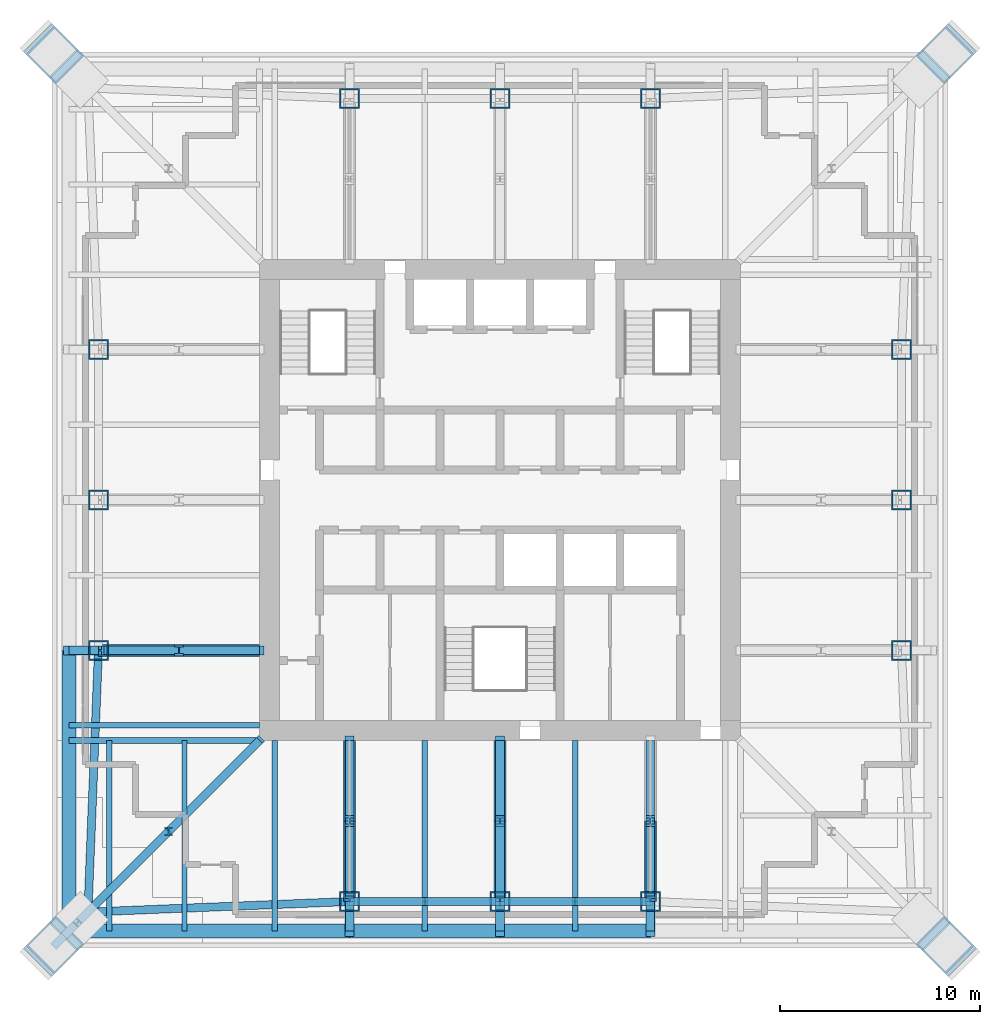
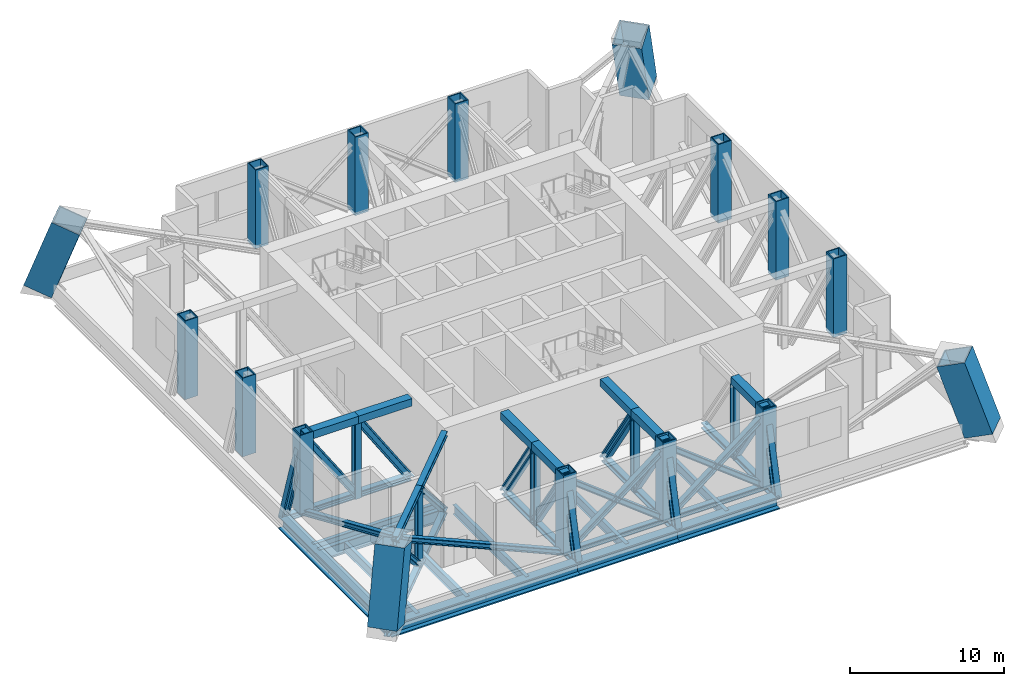
# One storey, part 1 of 9: 53 members, 16 columns, 11 beams.
"""IFC4 building model written with IfcOpenShell, lengths in metres."""

import ifcopenshell
import ifcopenshell.guid

model = None  # the IFC model being written
_history = None  # IfcOwnerHistory: only IFC2X3 demands one
_inside = {}  # id of a spatial element -> (the spatial element, [elements in it])
_under = {}  # id of a project, library or spatial element -> (it, [spatial elements below it])
_declared = {}  # id of a project -> (the project, [libraries it declares])
_typed = {}  # id of a type object -> (the type object, [elements of that type])
_made_of = {}  # id of a material, layer set ... -> (it, [elements and type objects made of it])


def new_model(schema):
    """Start an empty IFC model of exactly this schema.

    Asked for "IFC4X3", IfcOpenShell would pick the latest addendum, in which some entities
    have other attributes; the version numbers below select the first issue.
    IFC2X3 requires an IfcOwnerHistory on every rooted entity: one is made here for all.
    """
    global model, _history
    if schema == "IFC4X3":
        model = ifcopenshell.file(schema_version=(4, 3, 0, 0))
    else:
        model = ifcopenshell.file(schema=schema)
    _inside.clear()
    _under.clear()
    _declared.clear()
    _typed.clear()
    _made_of.clear()
    _history = None
    if model.schema == "IFC2X3":
        org = make("IfcOrganization", Name="unknown")
        user = make(
            "IfcPersonAndOrganization",
            ThePerson=make("IfcPerson", FamilyName="unknown"),
            TheOrganization=org,
        )
        app = make(
            "IfcApplication",
            ApplicationDeveloper=org,
            Version="unknown",
            ApplicationFullName="unknown",
            ApplicationIdentifier="unknown",
        )
        _history = make(
            "IfcOwnerHistory",
            OwningUser=user,
            OwningApplication=app,
            ChangeAction="ADDED",
            CreationDate=0,
        )
    return model


def make(cls, **values):
    """One entity of the class cls with the attributes given. An attribute that is None is left unset."""
    return model.create_entity(
        cls, **{name: value for name, value in values.items() if value is not None}
    )


def rooted(cls, **values):
    """An entity with a GlobalId (a new one), such as an element, a storey or a relation."""
    return make(cls, GlobalId=ifcopenshell.guid.new(), OwnerHistory=_history, **values)


def si_unit(unit_type, name, prefix=None):
    """IfcSIUnit, for example si_unit("LENGTHUNIT", "METRE", prefix="MILLI")."""
    return make("IfcSIUnit", UnitType=unit_type, Prefix=prefix, Name=name)


def assignment(units):
    """IfcUnitAssignment: the units of a project."""
    return None if units is None else make("IfcUnitAssignment", Units=units)


def point(xyz):
    """IfcCartesianPoint."""
    return None if xyz is None else make("IfcCartesianPoint", Coordinates=xyz)


def direction(xyz):
    """IfcDirection."""
    return None if xyz is None else make("IfcDirection", DirectionRatios=xyz)


def frame(location, z_axis=None, x_axis=None):
    """IfcAxis2Placement3D, a coordinate frame: its origin and axes. An axis left out is left unset."""
    return make(
        "IfcAxis2Placement3D",
        Location=point(location),
        Axis=direction(z_axis),
        RefDirection=direction(x_axis),
    )


def frame_2d(location, x_axis=None):
    """IfcAxis2Placement2D, a coordinate frame in the plane: its origin and x axis."""
    return make(
        "IfcAxis2Placement2D", Location=point(location), RefDirection=direction(x_axis)
    )


def origin():
    """The frame at (0, 0, 0) with its axes left unset."""
    return frame((0.0, 0.0, 0.0))


def origin_2d():
    """The frame at (0, 0) in the plane with its x axis left unset."""
    return frame_2d((0.0, 0.0))


def place(relative_to, where):
    """IfcLocalPlacement: puts the frame where relative to a parent placement (None: the world)."""
    return make(
        "IfcLocalPlacement", PlacementRelTo=relative_to, RelativePlacement=where
    )


def context(
    kind, dimensions, precision=None, world=None, true_north=None, identifier=None
):
    """IfcGeometricRepresentationContext, for example the 3D "Model" context."""
    return make(
        "IfcGeometricRepresentationContext",
        ContextIdentifier=identifier,
        ContextType=kind,
        CoordinateSpaceDimension=dimensions,
        Precision=precision,
        WorldCoordinateSystem=world,
        TrueNorth=true_north,
    )


def subcontext(parent, identifier, kind, view, scale=None):
    """IfcGeometricRepresentationSubContext, for example "Body" below "Model"."""
    return make(
        "IfcGeometricRepresentationSubContext",
        ContextIdentifier=identifier,
        ContextType=kind,
        ParentContext=parent,
        TargetScale=scale,
        TargetView=view,
    )


def project(units=None, contexts=None):
    """IfcProject with its units and contexts."""
    return rooted(
        "IfcProject",
        Name="project",
        RepresentationContexts=contexts,
        UnitsInContext=assignment(units),
    )


def spatial(cls, under=None, at=None, **own):
    """A site, building, storey or space (cls), placed at a placement, below another one or the project."""
    s = rooted(cls, ObjectPlacement=at, **own)
    if under is not None:
        _under.setdefault(under.id(), (under, []))[1].append(s)
    return s


def profile(cls, at=None, kind="AREA", **sizes):
    """A parametric profile (cls). Its sizes go by their IFC names, for example OverallWidth=200.0."""
    return make(cls, ProfileType=kind, Position=at, **sizes)


def hollow_rectangle(**sizes):
    """IfcRectangleHollowProfileDef."""
    return profile("IfcRectangleHollowProfileDef", **sizes)


def i_section(**sizes):
    """IfcIShapeProfileDef."""
    return profile("IfcIShapeProfileDef", **sizes)


def extrude(swept, where, along, depth):
    """IfcExtrudedAreaSolid: the profile swept, set in the frame where, extruded along a direction by depth."""
    return make(
        "IfcExtrudedAreaSolid",
        SweptArea=swept,
        Position=where,
        ExtrudedDirection=direction(along),
        Depth=depth,
    )


def clip(a, b, op="DIFFERENCE"):
    """IfcBooleanClippingResult: the solid a cut by the half space b."""
    return make(
        "IfcBooleanClippingResult", Operator=op, FirstOperand=a, SecondOperand=b
    )


def halfspace(plane, agree):
    """IfcHalfSpaceSolid: all space on one side of the plane z = 0 of the frame plane."""
    return make(
        "IfcHalfSpaceSolid",
        BaseSurface=make("IfcPlane", Position=plane),
        AgreementFlag=agree,
    )


def shape(context_of_items, identifier, shape_type, items):
    """IfcShapeRepresentation: the items that make up one representation, for example the "Body"."""
    return make(
        "IfcShapeRepresentation",
        ContextOfItems=context_of_items,
        RepresentationIdentifier=identifier,
        RepresentationType=shape_type,
        Items=items,
    )


def material(Name=None, Category=None):
    """IfcMaterial."""
    return make("IfcMaterial", Name=Name, Category=Category)


def material_profile(
    of_material, cross_section, Name=None, Category=None, Priority=None
):
    """IfcMaterialProfile: a cross section and its material."""
    return make(
        "IfcMaterialProfile",
        Name=Name,
        Material=of_material,
        Profile=cross_section,
        Priority=Priority,
        Category=Category,
    )


def profile_set(profiles, Name=None, composite=None):
    """IfcMaterialProfileSet."""
    return make(
        "IfcMaterialProfileSet",
        Name=Name,
        MaterialProfiles=profiles,
        CompositeProfile=composite,
    )


def made_of(thing, what):
    """Note that an element or type object is made of a material, layer set ...; save() writes the relation."""
    if what is not None:
        _made_of.setdefault(what.id(), (what, []))[1].append(thing)
    return thing


def type_object(cls, material=None, **own):
    """A type object (cls), such as IfcWallType, which elements share."""
    return made_of(rooted(cls, **own), material)


def element(
    cls,
    number,
    at=None,
    inside=None,
    cuts=None,
    type_object=None,
    material=None,
    context=None,
    identifier="Body",
    shape_type=None,
    held_by="IfcProductDefinitionShape",
    body=None,
    shapes=None,
    **own,
):
    """One element of the class cls, such as IfcWall. Its Tag is "e" and its number.

    at: its placement. inside: the storey or other place that contains it. cuts: it is an
    opening in that element (IfcRelVoidsElement). A single representation is given by context,
    identifier, shape_type and body (its items); several are given by shapes. held_by: the class
    of the entity that holds the representations. save() writes the other relations.
    """
    e = rooted(cls, Tag="e%d" % number, ObjectPlacement=at, **own)
    if body is not None:
        shapes = [shape(context, identifier, shape_type, body)]
    if shapes is not None:
        e.Representation = make(held_by, Representations=shapes)
    if inside is not None:
        _inside.setdefault(inside.id(), (inside, []))[1].append(e)
    if cuts is not None:
        rooted(
            "IfcRelVoidsElement", RelatingBuildingElement=cuts, RelatedOpeningElement=e
        )
    if type_object is not None:
        _typed.setdefault(type_object.id(), (type_object, []))[1].append(e)
    return made_of(e, material)


def aggregate(whole, parts):
    """IfcRelAggregates: a whole, such as a stair, and the parts it consists of."""
    return rooted("IfcRelAggregates", RelatingObject=whole, RelatedObjects=parts)


def save(model, path):
    """Write the relations noted so far, then the file.

    IfcRelAggregates (storeys below a building ...), IfcRelContainedInSpatialStructure (elements
    in a storey), IfcRelDefinesByType, IfcRelAssociatesMaterial and IfcRelDeclares: one each for
    every whole, place, type object, material and project.
    """
    for whole, parts in _under.values():
        aggregate(whole, parts)
    for where, things in _inside.values():
        rooted(
            "IfcRelContainedInSpatialStructure",
            RelatedElements=things,
            RelatingStructure=where,
        )
    for kind, things in _typed.values():
        rooted("IfcRelDefinesByType", RelatedObjects=things, RelatingType=kind)
    for what, things in _made_of.values():
        rooted("IfcRelAssociatesMaterial", RelatedObjects=things, RelatingMaterial=what)
    for by, libraries in _declared.values():
        rooted("IfcRelDeclares", RelatingContext=by, RelatedDefinitions=libraries)
    model.write(path)


model = new_model("IFC4")

# Units and contexts
model_context = context("Model", 3, precision=1e-05, world=origin(), true_north=direction((0.0, 1.0)))
body_context = subcontext(model_context, "Body", "Model", "MODEL_VIEW")
ifc_project = project(units=[si_unit("LENGTHUNIT", "METRE"), si_unit("AREAUNIT", "SQUARE_METRE"), si_unit("VOLUMEUNIT", "CUBIC_METRE"), si_unit("PLANEANGLEUNIT", "RADIAN"), si_unit("MASSUNIT", "GRAM", prefix="KILO")], contexts=[model_context])

# Site, building, storey
site_placement = place(None, origin())
site = spatial("IfcSite", under=ifc_project, at=site_placement, CompositionType="ELEMENT")
building_placement = place(site_placement, origin())
building = spatial("IfcBuilding", under=site, at=building_placement, Name="Tarangal Relay Tower", CompositionType="ELEMENT")
storey_placement = place(building_placement, frame((0.0, 0.0, 253.89990234375)))
storey = spatial("IfcBuildingStorey", under=building, at=storey_placement, Name="L55", CompositionType="ELEMENT", Elevation=253.89990234375)

# Columns
ifc_material_1 = material(Name="Steel ASTM A572 Grade 50", Category="steel")
ifc_material_profile_1 = material_profile(ifc_material_1, hollow_rectangle(XDim=2.0, YDim=2.0, WallThickness=0.094970703125, at=origin_2d()), Name="BOX2000X2000X95")
ifc_profile_set_1 = profile_set([ifc_material_profile_1], Name="Steel ASTM A572 Grade 50")
column_type_1 = type_object("IfcColumnType", Name="Mega column BOX2000X2000X95", PredefinedType="COLUMN", material=ifc_profile_set_1)
for number, where, z_axis, x_axis, name in (
    (1, (22.5, 22.5, 0.0), (-0.235702260396, -0.235702260396, 0.942809041582), (0.707106781187, -0.707106781187, 0.0), "Mega column MC4 NE L55"),
    (2, (22.5, -22.5, 0.0), (-0.235702260396, 0.235702260396, 0.942809041582), (-0.707106781187, -0.707106781187, 0.0), "Mega column MC4 SE L55"),
    (3, (-22.5, -22.5, 0.0), (0.235702260396, 0.235702260396, 0.942809041582), (-0.707106781187, 0.707106781187, 0.0), "Mega column MC4 SW L55"),
    (4, (-22.5, 22.5, 0.0), (0.235702260396, -0.235702260396, 0.942809041582), (0.707106781187, 0.707106781187, 0.0), "Mega column MC4 NW L55"),
):
    element("IfcColumn", number, at=place(storey_placement, frame(where, z_axis=z_axis, x_axis=x_axis)), inside=storey, type_object=column_type_1, Name=name, PredefinedType="COLUMN", context=body_context, shape_type="Clipping", body=[
        clip(clip(extrude(hollow_rectangle(XDim=2.0, YDim=2.0, WallThickness=0.094970703125, at=origin_2d()), origin(), (0.0, 0.0, 1.0), 6.364013671875), halfspace(frame((0.0, 0.0, 0.35400390625)), True)), halfspace(frame((0.0, 0.0, 6.009765625)), False)),
    ])
ifc_material_profile_2 = material_profile(ifc_material_1, hollow_rectangle(XDim=1.0, YDim=1.0, WallThickness=0.074951171875, at=origin_2d()), Name="BOX1000X1000X75")
ifc_profile_set_2 = profile_set([ifc_material_profile_2], Name="Steel ASTM A572 Grade 50")
column_type_2 = type_object("IfcColumnType", Name="Perimeter column BOX1000X1000X75", PredefinedType="COLUMN", material=ifc_profile_set_2)
for number, where, z_axis, x_axis, name in (
    (5, (-7.5, 20.0400390625, -0.25), (0.0, 0.0, 1.0), (1.0, 0.0, 0.0), "Perimeter column PC5 N L55"),
    (6, (0.0, 20.0400390625, -0.25), (0.0, 0.0, 1.0), (1.0, 0.0, 0.0), "Perimeter column PC5 N L55"),
    (7, (7.5, 20.0400390625, -0.25), (0.0, 0.0, 1.0), (1.0, 0.0, 0.0), "Perimeter column PC5 N L55"),
    (8, (20.0400390625, 7.5, -0.25), (0.0, 0.0, 1.0), (1.0, 0.0, 0.0), "Perimeter column PC5 E L55"),
    (9, (20.0400390625, 0.0, -0.25), (0.0, 0.0, 1.0), (1.0, 0.0, 0.0), "Perimeter column PC5 E L55"),
    (10, (20.0400390625, -7.5, -0.25), (0.0, 0.0, 1.0), (1.0, 0.0, 0.0), "Perimeter column PC5 E L55"),
    (11, (7.5, -20.0400390625, -0.25), (0.0, 0.0, 1.0), (1.0, 0.0, 0.0), "Perimeter column PC5 S L55"),
    (12, (0.0, -20.0400390625, -0.25), (0.0, 0.0, 1.0), (1.0, 0.0, 0.0), "Perimeter column PC5 S L55"),
    (13, (-7.5, -20.0400390625, -0.25), (0.0, 0.0, 1.0), (1.0, 0.0, 0.0), "Perimeter column PC5 S L55"),
    (14, (-20.0400390625, -7.5, -0.25), (0.0, 0.0, 1.0), (1.0, 0.0, 0.0), "Perimeter column PC5 W L55"),
    (15, (-20.0400390625, 0.0, -0.25), (0.0, 0.0, 1.0), (1.0, 0.0, 0.0), "Perimeter column PC5 W L55"),
    (16, (-20.0400390625, 7.5, -0.25), (0.0, 0.0, 1.0), (1.0, 0.0, 0.0), "Perimeter column PC5 W L55"),
):
    element("IfcColumn", number, at=place(storey_placement, frame(where, z_axis=z_axis, x_axis=x_axis)), inside=storey, type_object=column_type_2, Name=name, PredefinedType="COLUMN", context=body_context, shape_type="SweptSolid", body=[
        extrude(hollow_rectangle(XDim=1.0, YDim=1.0, WallThickness=0.074951171875, at=origin_2d()), origin(), (0.0, 0.0, 1.0), 6.25),
    ])

# Members
ifc_material_2 = material(Name="Steel ASTM A992", Category="steel")
ifc_material_profile_3 = material_profile(ifc_material_2, i_section(OverallWidth=0.40380859375, OverallDepth=0.406494140625, WebThickness=0.027099609375, FlangeThickness=0.043701171875, at=origin_2d()), Name="W14X233")
ifc_profile_set_3 = profile_set([ifc_material_profile_3], Name="Steel ASTM A992")
member_type_1 = type_object("IfcMemberType", Name="Belt truss brace W14X233", PredefinedType="BRACE", material=ifc_profile_set_3)
for number, where, z_axis, x_axis, name in (
    (17, (7.5, -20.0400390625, -0.4873046875), (-0.790390136435, 0.0, 0.612603813428), (0.0, -1.0, 0.0), "Belt truss S L55 brace"),
    (18, (3.75, -20.0400390625, 2.419189453125), (-0.790390136435, 0.0, 0.612603813428), (0.0, -1.0, 0.0), "Belt truss S L55 brace"),
    (19, (0.0, -20.0400390625, -0.4873046875), (0.790390136435, 0.0, 0.612603813428), (0.0, 1.0, 0.0), "Belt truss S L55 brace"),
    (20, (3.75, -20.0400390625, 2.419189453125), (0.790390136435, 0.0, 0.612603813428), (0.0, 1.0, 0.0), "Belt truss S L55 brace"),
    (21, (0.0, -20.0400390625, -0.4873046875), (-0.790390136435, 0.0, 0.612603813428), (0.0, -1.0, 0.0), "Belt truss S L55 brace"),
    (22, (-3.75, -20.0400390625, 2.419189453125), (-0.790390136435, 0.0, 0.612603813428), (0.0, -1.0, 0.0), "Belt truss S L55 brace"),
    (23, (-7.5, -20.0400390625, -0.4873046875), (0.790390136435, 0.0, 0.612603813428), (0.0, 1.0, 0.0), "Belt truss S L55 brace"),
    (24, (-3.75, -20.0400390625, 2.419189453125), (0.790390136435, 0.0, 0.612603813428), (0.0, 1.0, 0.0), "Belt truss S L55 brace"),
):
    element("IfcMember", number, at=place(storey_placement, frame(where, z_axis=z_axis, x_axis=x_axis)), inside=storey, type_object=member_type_1, Name=name, PredefinedType="BRACE", context=body_context, shape_type="SweptSolid", body=[
        extrude(i_section(OverallWidth=0.40380859375, OverallDepth=0.406494140625, WebThickness=0.027099609375, FlangeThickness=0.043701171875, at=origin_2d()), origin(), (0.0, 0.0, 1.0), 4.744384765625),
    ])
for number, where, z_axis, x_axis, name in (
    (25, (-7.5, -20.0400390625, -0.4873046875), (-0.908043977313, -0.036609871243, 0.417271916853), (0.040284561108, -0.999188247597, 0.0), "Belt truss S L55 end brace"),
    (26, (-20.0400390625, -7.5, -0.4873046875), (-0.036609871243, -0.908043977313, 0.417271916853), (0.999188247597, -0.040284561108, 0.0), "Belt truss W L55 end brace"),
):
    element("IfcMember", number, at=place(storey_placement, frame(where, z_axis=z_axis, x_axis=x_axis)), inside=storey, type_object=member_type_1, Name=name, PredefinedType="BRACE", context=body_context, shape_type="SweptSolid", body=[
        extrude(i_section(OverallWidth=0.40380859375, OverallDepth=0.406494140625, WebThickness=0.027099609375, FlangeThickness=0.043701171875, at=origin_2d()), origin(), (0.0, 0.0, 1.0), 13.930908203125),
    ])
ifc_material_profile_4 = material_profile(ifc_material_2, i_section(OverallWidth=0.406494140625, OverallDepth=0.41650390625, WebThickness=0.030029296875, FlangeThickness=0.048095703125, at=origin_2d()), Name="W14X257")
ifc_profile_set_4 = profile_set([ifc_material_profile_4], Name="Steel ASTM A992")
member_type_2 = type_object("IfcMemberType", Name="Belt truss chord W14X257", PredefinedType="CHORD", material=ifc_profile_set_4)
for number, where, z_axis, x_axis, name in (
    (27, (7.5, -20.0400390625, -0.4873046875), (-1.0, 0.0, 0.0), (0.0, -1.0, 0.0), "Belt truss S L55 bottom chord"),
    (28, (0.0, -20.0400390625, -0.4873046875), (-1.0, 0.0, 0.0), (0.0, -1.0, 0.0), "Belt truss S L55 bottom chord"),
):
    element("IfcMember", number, at=place(storey_placement, frame(where, z_axis=z_axis, x_axis=x_axis)), inside=storey, type_object=member_type_2, Name=name, PredefinedType="CHORD", context=body_context, shape_type="SweptSolid", body=[
        extrude(i_section(OverallWidth=0.406494140625, OverallDepth=0.41650390625, WebThickness=0.030029296875, FlangeThickness=0.048095703125, at=origin_2d()), origin(), (0.0, 0.0, 1.0), 7.5),
    ])

# Beams
ifc_material_profile_5 = material_profile(ifc_material_2, i_section(OverallWidth=0.2666015625, OverallDepth=0.761962890625, WebThickness=0.014404296875, FlangeThickness=0.021484375, at=origin_2d()), Name="W30X116")
ifc_profile_set_5 = profile_set([ifc_material_profile_5], Name="Steel ASTM A992")
beam_type_1 = type_object("IfcBeamType", Name="Corner beam W30X116", PredefinedType="JOIST", material=ifc_profile_set_5)
for number, where, z_axis, x_axis, name in (
    (29, (-15.75, -12.0, -0.630859375), (0.0, -1.0, 0.0), (1.0, 0.0, 0.0), "Corner beam CB1 S L55"),
    (30, (-19.5, -12.0, -0.630859375), (0.0, -1.0, 0.0), (1.0, 0.0, 0.0), "Corner beam CB1 S L55"),
):
    element("IfcBeam", number, at=place(storey_placement, frame(where, z_axis=z_axis, x_axis=x_axis)), inside=storey, type_object=beam_type_1, Name=name, PredefinedType="JOIST", context=body_context, shape_type="SweptSolid", body=[
        extrude(i_section(OverallWidth=0.2666015625, OverallDepth=0.761962890625, WebThickness=0.014404296875, FlangeThickness=0.021484375, at=origin_2d()), origin(), (0.0, 0.0, 1.0), 9.514892578125),
    ])
ifc_material_profile_6 = material_profile(ifc_material_2, i_section(OverallWidth=0.307373046875, OverallDepth=0.9423828125, WebThickness=0.022216796875, FlangeThickness=0.039794921875, at=origin_2d()), Name="W36X232")
ifc_profile_set_6 = profile_set([ifc_material_profile_6], Name="Steel ASTM A992")
beam_type_2 = type_object("IfcBeamType", Name="Corner girder W36X232", PredefinedType="BEAM", material=ifc_profile_set_6)
beam_placement = place(storey_placement, frame((-12.0, -12.0, -0.720947265625), z_axis=(-1.0, 0.0, 0.0), x_axis=(0.0, -1.0, 0.0)))
element("IfcBeam", 31, at=beam_placement, inside=storey, type_object=beam_type_2, Name="Corner girder CG4 S L55", PredefinedType="BEAM", context=body_context, shape_type="SweptSolid", body=[
    extrude(i_section(OverallWidth=0.307373046875, OverallDepth=0.9423828125, WebThickness=0.022216796875, FlangeThickness=0.039794921875, at=origin_2d()), origin(), (0.0, 0.0, 1.0), 9.514892578125),
])
ifc_material_profile_7 = material_profile(ifc_material_1, i_section(OverallWidth=0.699951171875, OverallDepth=1.0, WebThickness=0.030029296875, FlangeThickness=0.10009765625, at=origin_2d()), Name="PG1000X700X100X30")
ifc_profile_set_7 = profile_set([ifc_material_profile_7], Name="Steel ASTM A572 Grade 50")
beam_type_3 = type_object("IfcBeamType", Name="Edge girder PG1000X700X100X30", PredefinedType="SPANDREL", material=ifc_profile_set_7)
for number, where, z_axis, x_axis, name in (
    (32, (7.5, -21.514892578125, -0.75), (-1.0, 0.0, 0.0), (0.0, -1.0, 0.0), "Edge girder EG13 S L55"),
    (33, (0.0, -21.514892578125, -0.75), (-1.0, 0.0, 0.0), (0.0, -1.0, 0.0), "Edge girder EG13 S L55"),
):
    element("IfcBeam", number, at=place(storey_placement, frame(where, z_axis=z_axis, x_axis=x_axis)), inside=storey, type_object=beam_type_3, Name=name, PredefinedType="SPANDREL", context=body_context, shape_type="SweptSolid", body=[
        extrude(i_section(OverallWidth=0.699951171875, OverallDepth=1.0, WebThickness=0.030029296875, FlangeThickness=0.10009765625, at=origin_2d()), origin(), (0.0, 0.0, 1.0), 7.5),
    ])
for number, where, z_axis, x_axis, name in (
    (34, (-7.5, -21.514892578125, -0.75), (-1.0, 0.0, 0.0), (0.0, -1.0, 0.0), "Edge girder EG13 S L55"),
    (35, (-21.514892578125, -21.64990234375, -0.75), (0.0, 1.0, 0.0), (-1.0, 0.0, 0.0), "Edge girder EG13 W L55"),
):
    element("IfcBeam", number, at=place(storey_placement, frame(where, z_axis=z_axis, x_axis=x_axis)), inside=storey, type_object=beam_type_3, Name=name, PredefinedType="SPANDREL", context=body_context, shape_type="SweptSolid", body=[
        extrude(i_section(OverallWidth=0.699951171875, OverallDepth=1.0, WebThickness=0.030029296875, FlangeThickness=0.10009765625, at=origin_2d()), origin(), (0.0, 0.0, 1.0), 14.14990234375),
    ])
ifc_material_profile_8 = material_profile(ifc_material_2, i_section(OverallWidth=0.2666015625, OverallDepth=0.75439453125, WebThickness=0.01318359375, FlangeThickness=0.01708984375, at=origin_2d()), Name="W30X99")
ifc_profile_set_8 = profile_set([ifc_material_profile_8], Name="Steel ASTM A992")
beam_type_4 = type_object("IfcBeamType", Name="Floor beam W30X99", PredefinedType="BEAM", material=ifc_profile_set_8)
for number, where, z_axis, x_axis, name in (
    (36, (3.75, -12.0, -0.627197265625), (0.0, -1.0, 0.0), (1.0, 0.0, 0.0), "Floor beam RB7 S L55"),
    (37, (-3.75, -12.0, -0.627197265625), (0.0, -1.0, 0.0), (1.0, 0.0, 0.0), "Floor beam RB7 S L55"),
    (38, (-11.25, -12.0, -0.627197265625), (0.0, -1.0, 0.0), (1.0, 0.0, 0.0), "Floor beam RB7 S L55"),
    (39, (-12.0, -11.25, -0.627197265625), (-1.0, 0.0, 0.0), (0.0, -1.0, 0.0), "Floor beam RB7 W L55"),
):
    element("IfcBeam", number, at=place(storey_placement, frame(where, z_axis=z_axis, x_axis=x_axis)), inside=storey, type_object=beam_type_4, Name=name, PredefinedType="BEAM", context=body_context, shape_type="SweptSolid", body=[
        extrude(i_section(OverallWidth=0.2666015625, OverallDepth=0.75439453125, WebThickness=0.01318359375, FlangeThickness=0.01708984375, at=origin_2d()), origin(), (0.0, 0.0, 1.0), 9.514892578125),
    ])

# Members
ifc_material_profile_9 = material_profile(ifc_material_2, i_section(OverallWidth=0.41162109375, OverallDepth=0.434326171875, WebThickness=0.035888671875, FlangeThickness=0.057373046875, at=origin_2d()), Name="W14X311")
ifc_profile_set_9 = profile_set([ifc_material_profile_9], Name="Steel ASTM A992")
member_type_3 = type_object("IfcMemberType", Name="Outrigger chord W14X311", PredefinedType="CHORD", material=ifc_profile_set_9)
member_1_placement = place(storey_placement, frame((-12.0, -12.0, -0.467041015625), z_axis=(-0.707106781187, -0.707106781187, 0.0), x_axis=(0.707106781187, -0.707106781187, 0.0)))
element("IfcMember", 40, at=member_1_placement, inside=storey, type_object=member_type_3, Name="Outrigger SW L55 bottom chord", PredefinedType="CHORD", context=body_context, shape_type="SweptSolid", body=[
    extrude(i_section(OverallWidth=0.41162109375, OverallDepth=0.434326171875, WebThickness=0.035888671875, FlangeThickness=0.057373046875, at=origin_2d()), origin(), (0.0, 0.0, 1.0), 6.428955078125),
])
member_2_placement = place(storey_placement, frame((-16.5458984375, -16.5458984375, -0.467041015625), z_axis=(-0.707106781187, -0.707106781187, 0.0), x_axis=(0.707106781187, -0.707106781187, 0.0)))
element("IfcMember", 41, at=member_2_placement, inside=storey, type_object=member_type_3, Name="Outrigger SW L55 bottom chord", PredefinedType="CHORD", context=body_context, shape_type="Clipping", body=[
    clip(extrude(i_section(OverallWidth=0.41162109375, OverallDepth=0.434326171875, WebThickness=0.035888671875, FlangeThickness=0.057373046875, at=origin_2d()), origin(), (0.0, 0.0, 1.0), 8.42041015625), halfspace(frame((0.0, 0.0, 8.1298828125)), False)),
])
member_3_placement = place(storey_placement, frame((-12.0, -12.0, 5.6328125), z_axis=(-0.707106781187, -0.707106781187, 0.0), x_axis=(0.707106781187, -0.707106781187, 0.0)))
element("IfcMember", 42, at=member_3_placement, inside=storey, type_object=member_type_3, Name="Outrigger SW L55 top chord", PredefinedType="CHORD", context=body_context, shape_type="SweptSolid", body=[
    extrude(i_section(OverallWidth=0.41162109375, OverallDepth=0.434326171875, WebThickness=0.035888671875, FlangeThickness=0.057373046875, at=origin_2d()), origin(), (0.0, 0.0, 1.0), 6.428955078125),
])
member_4_placement = place(storey_placement, frame((-16.5458984375, -16.5458984375, 5.6328125), z_axis=(-0.707106781187, -0.707106781187, 0.0), x_axis=(0.707106781187, -0.707106781187, 0.0)))
element("IfcMember", 43, at=member_4_placement, inside=storey, type_object=member_type_3, Name="Outrigger SW L55 top chord", PredefinedType="CHORD", context=body_context, shape_type="Clipping", body=[
    clip(extrude(i_section(OverallWidth=0.41162109375, OverallDepth=0.434326171875, WebThickness=0.035888671875, FlangeThickness=0.057373046875, at=origin_2d()), origin(), (0.0, 0.0, 1.0), 6.428955078125), halfspace(frame((0.0, 0.0, 6.008544921875)), False)),
])
ifc_material_profile_10 = material_profile(ifc_material_2, i_section(OverallWidth=0.40380859375, OverallDepth=0.406494140625, WebThickness=0.027099609375, FlangeThickness=0.043701171875, at=origin_2d()), Name="W14X233")
ifc_profile_set_10 = profile_set([ifc_material_profile_10], Name="Steel ASTM A992")
member_type_4 = type_object("IfcMemberType", Name="Outrigger web W14X233", PredefinedType="STRUT", material=ifc_profile_set_10)
member_5_placement = place(storey_placement, frame((-16.5458984375, -16.5458984375, -0.467041015625), z_axis=(0.0, 0.0, 1.0), x_axis=(1.0, 0.0, 0.0)))
element("IfcMember", 44, at=member_5_placement, inside=storey, type_object=member_type_4, Name="Outrigger SW L55 vertical", PredefinedType="STRUT", context=body_context, shape_type="SweptSolid", body=[
    extrude(i_section(OverallWidth=0.40380859375, OverallDepth=0.406494140625, WebThickness=0.027099609375, FlangeThickness=0.043701171875, at=origin_2d()), origin(), (0.0, 0.0, 1.0), 6.099853515625),
])
for number, where, z_axis, x_axis, name in (
    (45, (-12.0, -12.0, -0.467041015625), (-0.512953687451, -0.512953687451, 0.688300101018), (0.707106781187, -0.707106781187, 0.0), "Outrigger SW L55 diagonal"),
    (46, (-16.5458984375, -16.5458984375, -0.467041015625), (-0.512953687451, -0.512953687451, 0.688300101018), (0.707106781187, -0.707106781187, 0.0), "Outrigger SW L55 diagonal"),
):
    element("IfcMember", number, at=place(storey_placement, frame(where, z_axis=z_axis, x_axis=x_axis)), inside=storey, type_object=member_type_4, Name=name, PredefinedType="STRUT", context=body_context, shape_type="SweptSolid", body=[
        extrude(i_section(OverallWidth=0.40380859375, OverallDepth=0.406494140625, WebThickness=0.027099609375, FlangeThickness=0.043701171875, at=origin_2d()), origin(), (0.0, 0.0, 1.0), 8.8623046875),
    ])
ifc_material_profile_11 = material_profile(ifc_material_2, i_section(OverallWidth=0.42431640625, OverallDepth=0.47509765625, WebThickness=0.0478515625, FlangeThickness=0.0771484375, at=origin_2d()), Name="W14X426")
ifc_profile_set_11 = profile_set([ifc_material_profile_11], Name="Steel ASTM A992")
member_type_5 = type_object("IfcMemberType", Name="Transfer truss chord W14X426", PredefinedType="CHORD", material=ifc_profile_set_11)
for number, where, z_axis, x_axis, name in (
    (47, (7.5, -12.0, -0.4873046875), (0.0, -1.0, 0.0), (1.0, 0.0, 0.0), "Transfer truss S -7.5 L55 bottom chord"),
    (48, (7.5, -16.02001953125, -0.4873046875), (0.0, -1.0, 0.0), (1.0, 0.0, 0.0), "Transfer truss S -7.5 L55 bottom chord"),
):
    element("IfcMember", number, at=place(storey_placement, frame(where, z_axis=z_axis, x_axis=x_axis)), inside=storey, type_object=member_type_5, Name=name, PredefinedType="CHORD", context=body_context, shape_type="SweptSolid", body=[
        extrude(i_section(OverallWidth=0.42431640625, OverallDepth=0.47509765625, WebThickness=0.0478515625, FlangeThickness=0.0771484375, at=origin_2d()), origin(), (0.0, 0.0, 1.0), 4.02001953125),
    ])
member_6_placement = place(storey_placement, frame((7.5, -20.0400390625, -0.4873046875), z_axis=(0.0, -1.0, 0.0), x_axis=(1.0, 0.0, 0.0)))
element("IfcMember", 49, at=member_6_placement, inside=storey, type_object=member_type_5, Name="Transfer truss S -7.5 L55 bottom chord", PredefinedType="CHORD", context=body_context, shape_type="SweptSolid", body=[
    extrude(i_section(OverallWidth=0.42431640625, OverallDepth=0.47509765625, WebThickness=0.0478515625, FlangeThickness=0.0771484375, at=origin_2d()), origin(), (0.0, 0.0, 1.0), 1.474853515625),
])
for number, where, z_axis, x_axis, name in (
    (50, (0.0, -12.0, -0.4873046875), (0.0, -1.0, 0.0), (1.0, 0.0, 0.0), "Transfer truss S +0.0 L55 bottom chord"),
    (51, (0.0, -16.02001953125, -0.4873046875), (0.0, -1.0, 0.0), (1.0, 0.0, 0.0), "Transfer truss S +0.0 L55 bottom chord"),
):
    element("IfcMember", number, at=place(storey_placement, frame(where, z_axis=z_axis, x_axis=x_axis)), inside=storey, type_object=member_type_5, Name=name, PredefinedType="CHORD", context=body_context, shape_type="SweptSolid", body=[
        extrude(i_section(OverallWidth=0.42431640625, OverallDepth=0.47509765625, WebThickness=0.0478515625, FlangeThickness=0.0771484375, at=origin_2d()), origin(), (0.0, 0.0, 1.0), 4.02001953125),
    ])
member_7_placement = place(storey_placement, frame((0.0, -20.0400390625, -0.4873046875), z_axis=(0.0, -1.0, 0.0), x_axis=(1.0, 0.0, 0.0)))
element("IfcMember", 52, at=member_7_placement, inside=storey, type_object=member_type_5, Name="Transfer truss S +0.0 L55 bottom chord", PredefinedType="CHORD", context=body_context, shape_type="SweptSolid", body=[
    extrude(i_section(OverallWidth=0.42431640625, OverallDepth=0.47509765625, WebThickness=0.0478515625, FlangeThickness=0.0771484375, at=origin_2d()), origin(), (0.0, 0.0, 1.0), 1.474853515625),
])
for number, where, z_axis, x_axis, name in (
    (53, (-7.5, -12.0, -0.4873046875), (0.0, -1.0, 0.0), (1.0, 0.0, 0.0), "Transfer truss S +7.5 L55 bottom chord"),
    (54, (-7.5, -16.02001953125, -0.4873046875), (0.0, -1.0, 0.0), (1.0, 0.0, 0.0), "Transfer truss S +7.5 L55 bottom chord"),
):
    element("IfcMember", number, at=place(storey_placement, frame(where, z_axis=z_axis, x_axis=x_axis)), inside=storey, type_object=member_type_5, Name=name, PredefinedType="CHORD", context=body_context, shape_type="SweptSolid", body=[
        extrude(i_section(OverallWidth=0.42431640625, OverallDepth=0.47509765625, WebThickness=0.0478515625, FlangeThickness=0.0771484375, at=origin_2d()), origin(), (0.0, 0.0, 1.0), 4.02001953125),
    ])
member_8_placement = place(storey_placement, frame((-7.5, -20.0400390625, -0.4873046875), z_axis=(0.0, -1.0, 0.0), x_axis=(1.0, 0.0, 0.0)))
element("IfcMember", 55, at=member_8_placement, inside=storey, type_object=member_type_5, Name="Transfer truss S +7.5 L55 bottom chord", PredefinedType="CHORD", context=body_context, shape_type="SweptSolid", body=[
    extrude(i_section(OverallWidth=0.42431640625, OverallDepth=0.47509765625, WebThickness=0.0478515625, FlangeThickness=0.0771484375, at=origin_2d()), origin(), (0.0, 0.0, 1.0), 1.474853515625),
])
for number, where, z_axis, x_axis, name in (
    (56, (-12.0, -7.5, -0.4873046875), (-1.0, 0.0, 0.0), (0.0, -1.0, 0.0), "Transfer truss W -7.5 L55 bottom chord"),
    (57, (-16.02001953125, -7.5, -0.4873046875), (-1.0, 0.0, 0.0), (0.0, -1.0, 0.0), "Transfer truss W -7.5 L55 bottom chord"),
):
    element("IfcMember", number, at=place(storey_placement, frame(where, z_axis=z_axis, x_axis=x_axis)), inside=storey, type_object=member_type_5, Name=name, PredefinedType="CHORD", context=body_context, shape_type="SweptSolid", body=[
        extrude(i_section(OverallWidth=0.42431640625, OverallDepth=0.47509765625, WebThickness=0.0478515625, FlangeThickness=0.0771484375, at=origin_2d()), origin(), (0.0, 0.0, 1.0), 4.02001953125),
    ])
member_9_placement = place(storey_placement, frame((-20.0400390625, -7.5, -0.4873046875), z_axis=(-1.0, 0.0, 0.0), x_axis=(0.0, -1.0, 0.0)))
element("IfcMember", 58, at=member_9_placement, inside=storey, type_object=member_type_5, Name="Transfer truss W -7.5 L55 bottom chord", PredefinedType="CHORD", context=body_context, shape_type="SweptSolid", body=[
    extrude(i_section(OverallWidth=0.42431640625, OverallDepth=0.47509765625, WebThickness=0.0478515625, FlangeThickness=0.0771484375, at=origin_2d()), origin(), (0.0, 0.0, 1.0), 1.474853515625),
])
ifc_material_profile_12 = material_profile(ifc_material_1, hollow_rectangle(XDim=0.60009765625, YDim=0.60009765625, WallThickness=0.070068359375, at=origin_2d()), Name="BOX600X600X70")
ifc_profile_set_12 = profile_set([ifc_material_profile_12], Name="Steel ASTM A572 Grade 50")
member_type_6 = type_object("IfcMemberType", Name="Transfer truss top chord BOX600X600X70", PredefinedType="CHORD", material=ifc_profile_set_12)
for number, where, z_axis, x_axis, name in (
    (59, (7.5, -16.02001953125, 5.550048828125), (0.0, -1.0, 0.0), (1.0, 0.0, 0.0), "Transfer truss S -7.5 L55 top chord"),
    (60, (0.0, -12.0, 5.550048828125), (0.0, -1.0, 0.0), (1.0, 0.0, 0.0), "Transfer truss S +0.0 L55 top chord"),
    (61, (0.0, -16.02001953125, 5.550048828125), (0.0, -1.0, 0.0), (1.0, 0.0, 0.0), "Transfer truss S +0.0 L55 top chord"),
    (62, (-7.5, -12.0, 5.550048828125), (0.0, -1.0, 0.0), (1.0, 0.0, 0.0), "Transfer truss S +7.5 L55 top chord"),
    (63, (-7.5, -16.02001953125, 5.550048828125), (0.0, -1.0, 0.0), (1.0, 0.0, 0.0), "Transfer truss S +7.5 L55 top chord"),
    (64, (-12.0, -7.5, 5.550048828125), (-1.0, 0.0, 0.0), (0.0, -1.0, 0.0), "Transfer truss W -7.5 L55 top chord"),
    (65, (-16.02001953125, -7.5, 5.550048828125), (-1.0, 0.0, 0.0), (0.0, -1.0, 0.0), "Transfer truss W -7.5 L55 top chord"),
):
    element("IfcMember", number, at=place(storey_placement, frame(where, z_axis=z_axis, x_axis=x_axis)), inside=storey, type_object=member_type_6, Name=name, PredefinedType="CHORD", context=body_context, shape_type="SweptSolid", body=[
        extrude(hollow_rectangle(XDim=0.60009765625, YDim=0.60009765625, WallThickness=0.070068359375, at=origin_2d()), origin(), (0.0, 0.0, 1.0), 4.02001953125),
    ])
ifc_material_profile_13 = material_profile(ifc_material_2, i_section(OverallWidth=0.44970703125, OverallDepth=0.548583984375, WebThickness=0.072021484375, FlangeThickness=0.11474609375, at=origin_2d()), Name="W14X665")
ifc_profile_set_13 = profile_set([ifc_material_profile_13], Name="Steel ASTM A992")
member_type_7 = type_object("IfcMemberType", Name="Transfer truss web W14X665", PredefinedType="STRUT", material=ifc_profile_set_13)
member_10_placement = place(storey_placement, frame((7.5, -16.02001953125, -0.724853515625), z_axis=(0.0, 0.0, 1.0), x_axis=(1.0, 0.0, 0.0)))
element("IfcMember", 66, at=member_10_placement, inside=storey, type_object=member_type_7, Name="Transfer truss S -7.5 L55 vertical", PredefinedType="STRUT", context=body_context, shape_type="SweptSolid", body=[
    extrude(i_section(OverallWidth=0.44970703125, OverallDepth=0.548583984375, WebThickness=0.072021484375, FlangeThickness=0.11474609375, at=origin_2d()), origin(), (0.0, 0.0, 1.0), 6.27490234375),
])
member_11_placement = place(storey_placement, frame((7.5, -16.02001953125, -0.4873046875), z_axis=(0.0, -0.554234057344, 0.832360865058), x_axis=(1.0, 0.0, 0.0)))
element("IfcMember", 67, at=member_11_placement, inside=storey, type_object=member_type_7, Name="Transfer truss S -7.5 L55 diagonal", PredefinedType="STRUT", context=body_context, shape_type="SweptSolid", body=[
    extrude(i_section(OverallWidth=0.44970703125, OverallDepth=0.548583984375, WebThickness=0.072021484375, FlangeThickness=0.11474609375, at=origin_2d()), origin(), (0.0, 0.0, 1.0), 7.253173828125),
])
member_12_placement = place(storey_placement, frame((7.5, -21.514892578125, -0.4873046875), z_axis=(0.0, 0.23730975733, 0.971434032282), x_axis=(-1.0, 0.0, 0.0)))
element("IfcMember", 68, at=member_12_placement, inside=storey, type_object=member_type_7, Name="Transfer truss S -7.5 L55 end diagonal", PredefinedType="STRUT", context=body_context, shape_type="SweptSolid", body=[
    extrude(i_section(OverallWidth=0.44970703125, OverallDepth=0.548583984375, WebThickness=0.072021484375, FlangeThickness=0.11474609375, at=origin_2d()), origin(), (0.0, 0.0, 1.0), 6.21484375),
])
member_13_placement = place(storey_placement, frame((0.0, -16.02001953125, -0.724853515625), z_axis=(0.0, 0.0, 1.0), x_axis=(1.0, 0.0, 0.0)))
element("IfcMember", 69, at=member_13_placement, inside=storey, type_object=member_type_7, Name="Transfer truss S +0.0 L55 vertical", PredefinedType="STRUT", context=body_context, shape_type="SweptSolid", body=[
    extrude(i_section(OverallWidth=0.44970703125, OverallDepth=0.548583984375, WebThickness=0.072021484375, FlangeThickness=0.11474609375, at=origin_2d()), origin(), (0.0, 0.0, 1.0), 6.27490234375),
])
member_14_placement = place(storey_placement, frame((0.0, -12.0, -0.599853515625), z_axis=(0.0, -0.547147296219, 0.837036341051), x_axis=(1.0, 0.0, 0.0)))
element("IfcMember", 70, at=member_14_placement, inside=storey, type_object=member_type_7, Name="Transfer truss S +0.0 L55 diagonal", PredefinedType="STRUT", context=body_context, shape_type="SweptSolid", body=[
    extrude(i_section(OverallWidth=0.44970703125, OverallDepth=0.548583984375, WebThickness=0.072021484375, FlangeThickness=0.11474609375, at=origin_2d()), origin(), (0.0, 0.0, 1.0), 7.34716796875),
])
member_15_placement = place(storey_placement, frame((0.0, -16.02001953125, -0.4873046875), z_axis=(0.0, -0.554234057344, 0.832360865058), x_axis=(1.0, 0.0, 0.0)))
element("IfcMember", 71, at=member_15_placement, inside=storey, type_object=member_type_7, Name="Transfer truss S +0.0 L55 diagonal", PredefinedType="STRUT", context=body_context, shape_type="SweptSolid", body=[
    extrude(i_section(OverallWidth=0.44970703125, OverallDepth=0.548583984375, WebThickness=0.072021484375, FlangeThickness=0.11474609375, at=origin_2d()), origin(), (0.0, 0.0, 1.0), 7.253173828125),
])
member_16_placement = place(storey_placement, frame((0.0, -21.514892578125, -0.4873046875), z_axis=(0.0, 0.23730975733, 0.971434032282), x_axis=(-1.0, 0.0, 0.0)))
element("IfcMember", 72, at=member_16_placement, inside=storey, type_object=member_type_7, Name="Transfer truss S +0.0 L55 end diagonal", PredefinedType="STRUT", context=body_context, shape_type="SweptSolid", body=[
    extrude(i_section(OverallWidth=0.44970703125, OverallDepth=0.548583984375, WebThickness=0.072021484375, FlangeThickness=0.11474609375, at=origin_2d()), origin(), (0.0, 0.0, 1.0), 6.21484375),
])
member_17_placement = place(storey_placement, frame((-7.5, -16.02001953125, -0.724853515625), z_axis=(0.0, 0.0, 1.0), x_axis=(1.0, 0.0, 0.0)))
element("IfcMember", 73, at=member_17_placement, inside=storey, type_object=member_type_7, Name="Transfer truss S +7.5 L55 vertical", PredefinedType="STRUT", context=body_context, shape_type="SweptSolid", body=[
    extrude(i_section(OverallWidth=0.44970703125, OverallDepth=0.548583984375, WebThickness=0.072021484375, FlangeThickness=0.11474609375, at=origin_2d()), origin(), (0.0, 0.0, 1.0), 6.27490234375),
])
member_18_placement = place(storey_placement, frame((-7.5, -12.0, -0.599853515625), z_axis=(0.0, -0.547147296219, 0.837036341051), x_axis=(1.0, 0.0, 0.0)))
element("IfcMember", 74, at=member_18_placement, inside=storey, type_object=member_type_7, Name="Transfer truss S +7.5 L55 diagonal", PredefinedType="STRUT", context=body_context, shape_type="SweptSolid", body=[
    extrude(i_section(OverallWidth=0.44970703125, OverallDepth=0.548583984375, WebThickness=0.072021484375, FlangeThickness=0.11474609375, at=origin_2d()), origin(), (0.0, 0.0, 1.0), 7.34716796875),
])
member_19_placement = place(storey_placement, frame((-7.5, -16.02001953125, -0.4873046875), z_axis=(0.0, -0.554234057344, 0.832360865058), x_axis=(1.0, 0.0, 0.0)))
element("IfcMember", 75, at=member_19_placement, inside=storey, type_object=member_type_7, Name="Transfer truss S +7.5 L55 diagonal", PredefinedType="STRUT", context=body_context, shape_type="SweptSolid", body=[
    extrude(i_section(OverallWidth=0.44970703125, OverallDepth=0.548583984375, WebThickness=0.072021484375, FlangeThickness=0.11474609375, at=origin_2d()), origin(), (0.0, 0.0, 1.0), 7.253173828125),
])
member_20_placement = place(storey_placement, frame((-7.5, -21.514892578125, -0.4873046875), z_axis=(0.0, 0.23730975733, 0.971434032282), x_axis=(-1.0, 0.0, 0.0)))
element("IfcMember", 76, at=member_20_placement, inside=storey, type_object=member_type_7, Name="Transfer truss S +7.5 L55 end diagonal", PredefinedType="STRUT", context=body_context, shape_type="SweptSolid", body=[
    extrude(i_section(OverallWidth=0.44970703125, OverallDepth=0.548583984375, WebThickness=0.072021484375, FlangeThickness=0.11474609375, at=origin_2d()), origin(), (0.0, 0.0, 1.0), 6.21484375),
])
member_21_placement = place(storey_placement, frame((-16.02001953125, -7.5, -0.724853515625), z_axis=(0.0, 0.0, 1.0), x_axis=(1.0, 0.0, 0.0)))
element("IfcMember", 77, at=member_21_placement, inside=storey, type_object=member_type_7, Name="Transfer truss W -7.5 L55 vertical", PredefinedType="STRUT", context=body_context, shape_type="SweptSolid", body=[
    extrude(i_section(OverallWidth=0.44970703125, OverallDepth=0.548583984375, WebThickness=0.072021484375, FlangeThickness=0.11474609375, at=origin_2d()), origin(), (0.0, 0.0, 1.0), 6.27490234375),
])
member_22_placement = place(storey_placement, frame((-12.0, -7.5, -0.599853515625), z_axis=(-0.547147296219, 0.0, 0.837036341051), x_axis=(0.0, -1.0, 0.0)))
element("IfcMember", 78, at=member_22_placement, inside=storey, type_object=member_type_7, Name="Transfer truss W -7.5 L55 diagonal", PredefinedType="STRUT", context=body_context, shape_type="SweptSolid", body=[
    extrude(i_section(OverallWidth=0.44970703125, OverallDepth=0.548583984375, WebThickness=0.072021484375, FlangeThickness=0.11474609375, at=origin_2d()), origin(), (0.0, 0.0, 1.0), 7.34716796875),
])
member_23_placement = place(storey_placement, frame((-16.02001953125, -7.5, -0.4873046875), z_axis=(-0.554234057344, 0.0, 0.832360865058), x_axis=(0.0, -1.0, 0.0)))
element("IfcMember", 79, at=member_23_placement, inside=storey, type_object=member_type_7, Name="Transfer truss W -7.5 L55 diagonal", PredefinedType="STRUT", context=body_context, shape_type="SweptSolid", body=[
    extrude(i_section(OverallWidth=0.44970703125, OverallDepth=0.548583984375, WebThickness=0.072021484375, FlangeThickness=0.11474609375, at=origin_2d()), origin(), (0.0, 0.0, 1.0), 7.253173828125),
])
member_24_placement = place(storey_placement, frame((-21.514892578125, -7.5, -0.4873046875), z_axis=(0.23730975733, 0.0, 0.971434032282), x_axis=(0.0, 1.0, 0.0)))
element("IfcMember", 80, at=member_24_placement, inside=storey, type_object=member_type_7, Name="Transfer truss W -7.5 L55 end diagonal", PredefinedType="STRUT", context=body_context, shape_type="SweptSolid", body=[
    extrude(i_section(OverallWidth=0.44970703125, OverallDepth=0.548583984375, WebThickness=0.072021484375, FlangeThickness=0.11474609375, at=origin_2d()), origin(), (0.0, 0.0, 1.0), 6.21484375),
])

save(model, "model.ifc")
